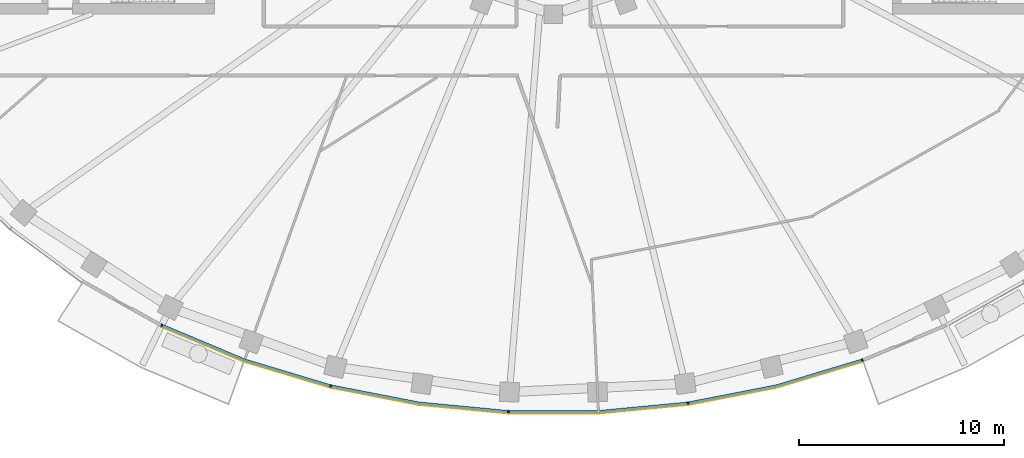
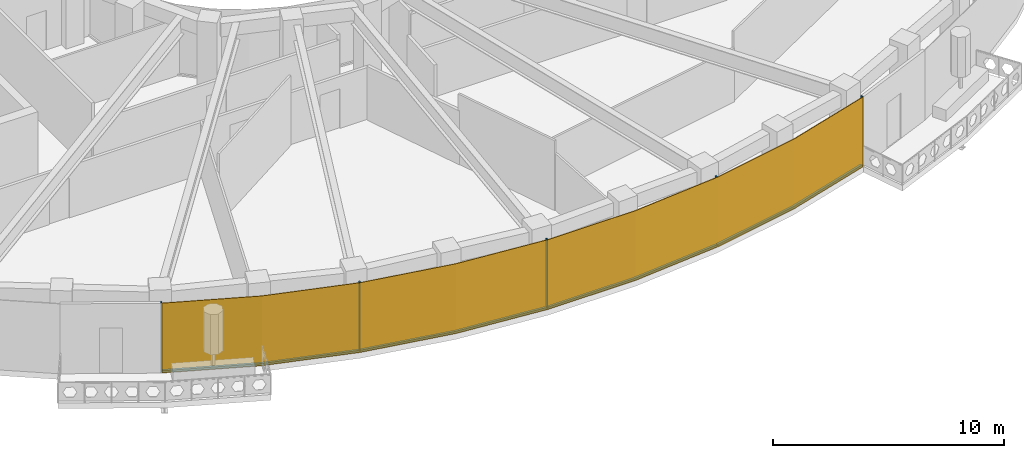
# One storey, part 9 of 15: 9 members, 1 curtain wall.
"""IFC4 building model written with IfcOpenShell, lengths in metres."""

from ifc_helpers import new_model, si_unit, direction, frame, origin, origin_2d, place, context, subcontext, project, spatial, polyline, rectangle, outline, extrude, material, layer, layer_set, material_profile, profile_set, type_object, element, aggregate, save


model = new_model("IFC4")

# Units and contexts
model_context = context("Model", 3, precision=1e-05, world=origin(), true_north=direction((0.0, 1.0)))
body_context = subcontext(model_context, "Body", "Model", "MODEL_VIEW")
ifc_project = project(units=[si_unit("LENGTHUNIT", "METRE"), si_unit("AREAUNIT", "SQUARE_METRE"), si_unit("VOLUMEUNIT", "CUBIC_METRE"), si_unit("PLANEANGLEUNIT", "RADIAN"), si_unit("MASSUNIT", "GRAM", prefix="KILO")], contexts=[model_context])

# Member
ifc_material_1 = material(Name="Aluminium 6063-T6 black anodised", Category="aluminium")
ifc_material_profile = material_profile(ifc_material_1, rectangle(XDim=0.1201171875, YDim=0.06005859375, at=origin_2d()), Name="120x60")
ifc_profile_set = profile_set([ifc_material_profile], Name="Aluminium 6063-T6 black anodised")
member_type_1 = type_object("IfcMemberType", Name="ENV-MULLION-A-120", PredefinedType="MULLION", material=ifc_profile_set)
site_placement = place(None, origin())
building_placement = place(site_placement, origin())
storey_placement = place(building_placement, frame((0.0, 0.0, 307.0)))
member_1_placement = place(storey_placement, frame((-19.06787109375, -23.6474609375, 0.0), z_axis=(0.0, 0.0, 1.0), x_axis=(0.439237769837, 0.898370848563, 0.0)))
member_1 = element("IfcMember", 1, at=member_1_placement, type_object=member_type_1, Name="Mullion A radial 31", PredefinedType="MULLION", context=body_context, shape_type="SweptSolid", body=[
    extrude(rectangle(XDim=0.1201171875, YDim=0.06005859375, at=origin_2d()), origin(), (0.0, 0.0, 1.0), 3.699951171875),
])

member_2_placement = place(storey_placement, frame((-10.84326171875, -26.60498046875, 0.0), z_axis=(0.0, 0.0, 1.0), x_axis=(0.239799081534, 0.970822538106, 0.0)))
member_2 = element("IfcMember", 2, at=member_2_placement, type_object=member_type_1, Name="Mullion A radial 33", PredefinedType="MULLION", context=body_context, shape_type="SweptSolid", body=[
    extrude(rectangle(XDim=0.1201171875, YDim=0.06005859375, at=origin_2d()), origin(), (0.0, 0.0, 1.0), 3.699951171875),
])

member_3_placement = place(storey_placement, frame((-2.188720703125, -27.856201171875, 0.0), z_axis=(0.0, 0.0, 1.0), x_axis=(0.047557873581, 0.998868484166, 0.0)))
member_3 = element("IfcMember", 3, at=member_3_placement, type_object=member_type_1, Name="Mullion A radial 35", PredefinedType="MULLION", context=body_context, shape_type="SweptSolid", body=[
    extrude(rectangle(XDim=0.1201171875, YDim=0.06005859375, at=origin_2d()), origin(), (0.0, 0.0, 1.0), 3.699951171875),
])

member_4_placement = place(storey_placement, frame((6.54638671875, -27.440185546875, 0.0), z_axis=(0.0, 0.0, 1.0), x_axis=(-0.143082012705, 0.989710835366, 0.0)))
member_4 = element("IfcMember", 4, at=member_4_placement, type_object=member_type_1, Name="Mullion A radial 37", PredefinedType="MULLION", context=body_context, shape_type="SweptSolid", body=[
    extrude(rectangle(XDim=0.1201171875, YDim=0.06005859375, at=origin_2d()), origin(), (0.0, 0.0, 1.0), 3.699951171875),
])

member_5_placement = place(storey_placement, frame((15.0341796875, -25.34375, 0.0), z_axis=(0.0, 0.0, 1.0), x_axis=(-0.338379256581, 0.941009818608, 0.0)))
member_5 = element("IfcMember", 5, at=member_5_placement, type_object=member_type_1, Name="Mullion A radial 39", PredefinedType="MULLION", context=body_context, shape_type="SweptSolid", body=[
    extrude(rectangle(XDim=0.1201171875, YDim=0.06005859375, at=origin_2d()), origin(), (0.0, 0.0, 1.0), 3.699951171875),
])

ifc_material_2 = material(Name="Aluminium 6063-T6 black anodised", Category="aluminium")
member_type_2 = type_object("IfcMemberType", Name="ENV-TRANSOM-A", PredefinedType="USERDEFINED", material=ifc_material_2)
member_6_placement = place(storey_placement, origin())
member_6 = element("IfcMember", 6, at=member_6_placement, type_object=member_type_2, Name="Transom A radial 31-33", ObjectType="TRANSOM", PredefinedType="USERDEFINED", context=body_context, shape_type="SweptSolid", body=[
    extrude(outline(polyline([(-19.068359375, -23.71240234375), (-15.054443359375, -25.400146484375), (-10.884521484375, -26.655029296875), (-10.855712890625, -26.53857421875), (-15.013916015625, -25.287109375), (-19.015380859375, -23.604248046875), (-19.068359375, -23.71240234375)])), origin(), (0.0, 0.0, 1.0), 0.10009765625),
])

member_7_placement = place(storey_placement, origin())
member_7 = element("IfcMember", 7, at=member_7_placement, type_object=member_type_2, Name="Transom A radial 33-35", ObjectType="TRANSOM", PredefinedType="USERDEFINED", context=body_context, shape_type="SweptSolid", body=[
    extrude(outline(polyline([(-10.830078125, -26.66845703125), (-6.55517578125, -27.49951171875), (-2.219482421875, -27.913330078125), (-2.2138671875, -27.793212890625), (-6.537841796875, -27.380615234375), (-10.80126953125, -26.552001953125), (-10.830078125, -26.66845703125)])), origin(), (0.0, 0.0, 1.0), 0.10009765625),
])

member_8_placement = place(storey_placement, origin())
member_8 = element("IfcMember", 8, at=member_8_placement, type_object=member_type_2, Name="Transom A radial 35-37", ObjectType="TRANSOM", PredefinedType="USERDEFINED", context=body_context, shape_type="SweptSolid", body=[
    extrude(outline(polyline([(-2.163818359375, -27.916015625), (2.191650390625, -27.916015625), (6.527099609375, -27.502197265625), (6.510009765625, -27.38330078125), (2.185791015625, -27.7958984375), (-2.157958984375, -27.7958984375), (-2.163818359375, -27.916015625)])), origin(), (0.0, 0.0, 1.0), 0.10009765625),
])

member_9_placement = place(storey_placement, origin())
member_9 = element("IfcMember", 9, at=member_9_placement, type_object=member_type_2, Name="Transom A radial 37-39", ObjectType="TRANSOM", PredefinedType="USERDEFINED", context=body_context, shape_type="SweptSolid", body=[
    extrude(outline(polyline([(6.58251953125, -27.494140625), (10.857666015625, -26.6630859375), (15.027587890625, -25.408203125), (14.987060546875, -25.295166015625), (10.828857421875, -26.54638671875), (6.5654296875, -27.375244140625), (6.58251953125, -27.494140625)])), origin(), (0.0, 0.0, 1.0), 0.10009765625),
])

# Site, building, storey
site = spatial("IfcSite", under=ifc_project, at=site_placement, CompositionType="ELEMENT")
building = spatial("IfcBuilding", under=site, at=building_placement, Name="Noorbagh Ring Tower", CompositionType="ELEMENT")
storey = spatial("IfcBuildingStorey", under=building, at=storey_placement, Name="L66", CompositionType="ELEMENT", Elevation=307.0)

# Curtain wall
ifc_material_3 = material(Name="Glass dark tinted laminated", Category="glass")
ifc_layer = layer(ifc_material_3, 0.031982421875)
ifc_layer_set = layer_set([ifc_layer], Name="Glass dark tinted laminated")
curtain_wall_type = type_object("IfcCurtainWallType", Name="ENV-CW-A", PredefinedType="NOTDEFINED", material=ifc_layer_set)
curtain_wall_placement = place(storey_placement, origin())
curtain_wall = element("IfcCurtainWall", 10, at=curtain_wall_placement, inside=storey, type_object=curtain_wall_type, Name="Curtain wall A R31", PredefinedType="NOTDEFINED", context=body_context, shape_type="SweptSolid", body=[
    extrude(outline(polyline([(-19.08984375, -23.738037109375), (-15.065185546875, -25.430419921875), (-10.865234375, -26.6943359375), (-6.559814453125, -27.53125), (-2.193115234375, -27.947998046875), (2.193115234375, -27.947998046875), (6.559814453125, -27.53125), (10.865234375, -26.6943359375), (15.046142578125, -25.43603515625), (15.035400390625, -25.406005859375), (10.857666015625, -26.6630859375), (6.55517578125, -27.49951171875), (2.191650390625, -27.916015625), (-2.191650390625, -27.916015625), (-6.55517578125, -27.49951171875), (-10.857666015625, -26.6630859375), (-15.054443359375, -25.400146484375), (-19.07568359375, -23.709228515625), (-19.08984375, -23.738037109375)])), origin(), (0.0, 0.0, 1.0), 3.699951171875),
])

aggregate(curtain_wall, [member_1, member_2, member_3, member_4, member_5, member_6, member_7, member_8, member_9])

save(model, "model.ifc")
